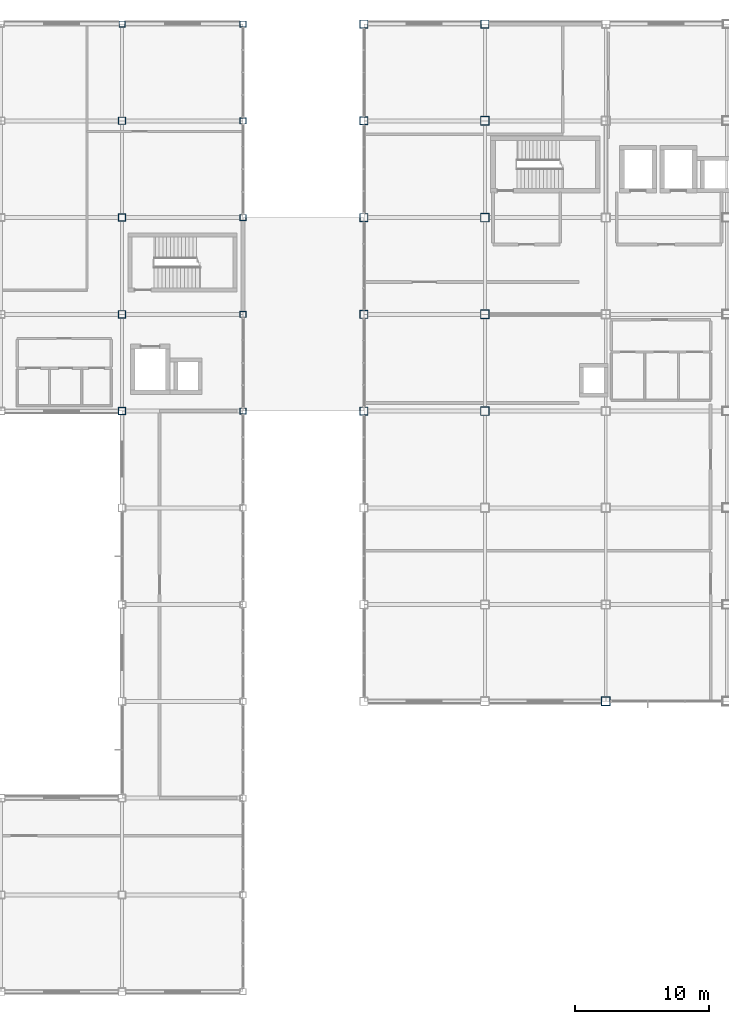
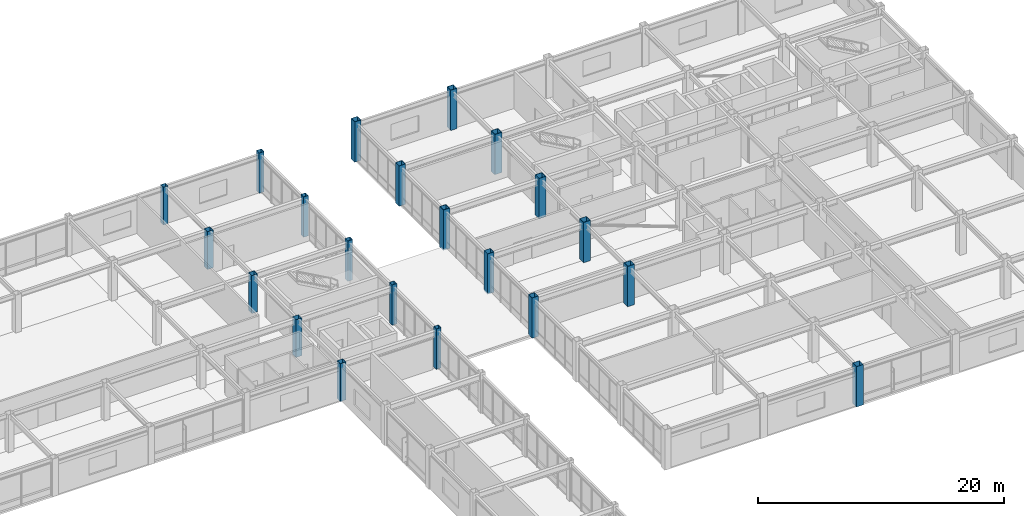
# One storey, part 9 of 113: 21 columns.
"""IFC4 building model written with IfcOpenShell, lengths in metres."""

from ifc_helpers import new_model, si_unit, direction, frame, origin, origin_2d, place, context, subcontext, project, spatial, hollow_rectangle, extrude, material, material_profile, profile_set, type_object, element, save


model = new_model("IFC4")

# Units and contexts
model_context = context("Model", 3, precision=1e-05, world=origin(), true_north=direction((0.0, 1.0)))
body_context = subcontext(model_context, "Body", "Model", "MODEL_VIEW")
ifc_project = project(units=[si_unit("LENGTHUNIT", "METRE"), si_unit("AREAUNIT", "SQUARE_METRE"), si_unit("VOLUMEUNIT", "CUBIC_METRE"), si_unit("PLANEANGLEUNIT", "RADIAN"), si_unit("MASSUNIT", "GRAM", prefix="KILO")], contexts=[model_context])

# Site, building, storey
site_placement = place(None, origin())
site = spatial("IfcSite", under=ifc_project, at=site_placement, CompositionType="ELEMENT")
building_placement = place(site_placement, origin())
building = spatial("IfcBuilding", under=site, at=building_placement, Name="Kazanami Central Library", CompositionType="ELEMENT")
storey_placement = place(building_placement, frame((0.0, 0.0, 8.800048828125)))
storey = spatial("IfcBuildingStorey", under=building, at=storey_placement, Name="L03", CompositionType="ELEMENT", Elevation=8.800048828125)

# Columns
ifc_material = material(Name="Steel BCP325 (325 MPa)", Category="steel")
ifc_material_profile_1 = material_profile(ifc_material, hollow_rectangle(XDim=0.449951171875, YDim=0.449951171875, WallThickness=0.01904296875, at=origin_2d()), Name="BCP-450x450x19")
ifc_profile_set_1 = profile_set([ifc_material_profile_1], Name="Steel BCP325 (325 MPa)")
column_type_1 = type_object("IfcColumnType", Name="COL-C-P2E", PredefinedType="COLUMN", material=ifc_profile_set_1)
column_placement = place(storey_placement, frame((99.0, 93.60009765625, 0.0), z_axis=(0.0, 0.0, 1.0), x_axis=(1.0, 0.0, 0.0)))
element("IfcColumn", 1, at=column_placement, inside=storey, type_object=column_type_1, Name="Column C-P2E L03 12/O", PredefinedType="COLUMN", context=body_context, shape_type="SweptSolid", body=[
    extrude(hollow_rectangle(XDim=0.449951171875, YDim=0.449951171875, WallThickness=0.01904296875, at=origin_2d()), origin(), (0.0, 0.0, 1.0), 3.744873046875),
])
for number, where, z_axis, x_axis, name in (
    (2, (108.0, 64.800048828125, 0.0), (0.0, 0.0, 1.0), (1.0, 0.0, 0.0), "Column C-P2E L03 13/K"),
    (3, (108.0, 72.0, 0.0), (0.0, 0.0, 1.0), (1.0, 0.0, 0.0), "Column C-P2E L03 13/L"),
    (4, (108.0, 79.199951171875, 0.0), (0.0, 0.0, 1.0), (1.0, 0.0, 0.0), "Column C-P2E L03 13/M"),
    (5, (108.0, 86.39990234375, 0.0), (0.0, 0.0, 1.0), (1.0, 0.0, 0.0), "Column C-P2E L03 13/N"),
    (6, (108.0, 93.60009765625, 0.0), (0.0, 0.0, 1.0), (1.0, 0.0, 0.0), "Column C-P2E L03 13/O"),
):
    element("IfcColumn", number, at=place(storey_placement, frame(where, z_axis=z_axis, x_axis=x_axis)), inside=storey, type_object=column_type_1, Name=name, PredefinedType="COLUMN", context=body_context, shape_type="SweptSolid", body=[
        extrude(hollow_rectangle(XDim=0.449951171875, YDim=0.449951171875, WallThickness=0.01904296875, at=origin_2d()), origin(), (0.0, 0.0, 1.0), 4.0),
    ])
ifc_material_profile_2 = material_profile(ifc_material, hollow_rectangle(XDim=0.550048828125, YDim=0.550048828125, WallThickness=0.02197265625, at=origin_2d()), Name="BCP-550x550x22")
ifc_profile_set_2 = profile_set([ifc_material_profile_2], Name="Steel BCP325 (325 MPa)")
column_type_2 = type_object("IfcColumnType", Name="COL-C-P2I", PredefinedType="COLUMN", material=ifc_profile_set_2)
for number, where, z_axis, x_axis, name in (
    (7, (99.0, 64.800048828125, 0.0), (0.0, 0.0, 1.0), (1.0, 0.0, 0.0), "Column C-P2I L03 12/K"),
    (8, (99.0, 72.0, 0.0), (0.0, 0.0, 1.0), (1.0, 0.0, 0.0), "Column C-P2I L03 12/L"),
    (9, (99.0, 79.199951171875, 0.0), (0.0, 0.0, 1.0), (1.0, 0.0, 0.0), "Column C-P2I L03 12/M"),
    (10, (99.0, 86.39990234375, 0.0), (0.0, 0.0, 1.0), (1.0, 0.0, 0.0), "Column C-P2I L03 12/N"),
):
    element("IfcColumn", number, at=place(storey_placement, frame(where, z_axis=z_axis, x_axis=x_axis)), inside=storey, type_object=column_type_2, Name=name, PredefinedType="COLUMN", context=body_context, shape_type="SweptSolid", body=[
        extrude(hollow_rectangle(XDim=0.550048828125, YDim=0.550048828125, WallThickness=0.02197265625, at=origin_2d()), origin(), (0.0, 0.0, 1.0), 3.744873046875),
    ])
ifc_material_profile_3 = material_profile(ifc_material, hollow_rectangle(XDim=0.64990234375, YDim=0.64990234375, WallThickness=0.02490234375, at=origin_2d()), Name="BCP-650x650x25")
ifc_profile_set_3 = profile_set([ifc_material_profile_3], Name="Steel BCP325 (325 MPa)")
column_type_3 = type_object("IfcColumnType", Name="COL-C-T2I", PredefinedType="COLUMN", material=ifc_profile_set_3)
for number, where, z_axis, x_axis, name in (
    (11, (126.0, 64.800048828125, 0.0), (0.0, 0.0, 1.0), (1.0, 0.0, 0.0), "Column C-T2I L03 15/K"),
    (12, (126.0, 72.0, 0.0), (0.0, 0.0, 1.0), (1.0, 0.0, 0.0), "Column C-T2I L03 15/L"),
    (13, (126.0, 79.199951171875, 0.0), (0.0, 0.0, 1.0), (1.0, 0.0, 0.0), "Column C-T2I L03 15/M"),
    (14, (126.0, 86.39990234375, 0.0), (0.0, 0.0, 1.0), (1.0, 0.0, 0.0), "Column C-T2I L03 15/N"),
    (15, (135.0, 43.199951171875, 0.0), (0.0, 0.0, 1.0), (1.0, 0.0, 0.0), "Column C-T2I L03 16/G"),
):
    element("IfcColumn", number, at=place(storey_placement, frame(where, z_axis=z_axis, x_axis=x_axis)), inside=storey, type_object=column_type_3, Name=name, PredefinedType="COLUMN", context=body_context, shape_type="SweptSolid", body=[
        extrude(hollow_rectangle(XDim=0.64990234375, YDim=0.64990234375, WallThickness=0.02490234375, at=origin_2d()), origin(), (0.0, 0.0, 1.0), 4.0),
    ])
ifc_material_profile_4 = material_profile(ifc_material, hollow_rectangle(XDim=0.60009765625, YDim=0.60009765625, WallThickness=0.02490234375, at=origin_2d()), Name="BCP-600x600x25")
ifc_profile_set_4 = profile_set([ifc_material_profile_4], Name="Steel BCP325 (325 MPa)")
column_type_4 = type_object("IfcColumnType", Name="COL-C-T2P", PredefinedType="COLUMN", material=ifc_profile_set_4)
for number, where, z_axis, x_axis, name in (
    (16, (117.0, 64.800048828125, 0.0), (0.0, 0.0, 1.0), (1.0, 0.0, 0.0), "Column C-T2P L03 14/K"),
    (17, (117.0, 72.0, 0.0), (0.0, 0.0, 1.0), (1.0, 0.0, 0.0), "Column C-T2P L03 14/L"),
    (18, (117.0, 79.199951171875, 0.0), (0.0, 0.0, 1.0), (1.0, 0.0, 0.0), "Column C-T2P L03 14/M"),
    (19, (117.0, 86.39990234375, 0.0), (0.0, 0.0, 1.0), (1.0, 0.0, 0.0), "Column C-T2P L03 14/N"),
    (20, (117.0, 93.60009765625, 0.0), (0.0, 0.0, 1.0), (1.0, 0.0, 0.0), "Column C-T2P L03 14/O"),
    (21, (126.0, 93.60009765625, 0.0), (0.0, 0.0, 1.0), (1.0, 0.0, 0.0), "Column C-T2P L03 15/O"),
):
    element("IfcColumn", number, at=place(storey_placement, frame(where, z_axis=z_axis, x_axis=x_axis)), inside=storey, type_object=column_type_4, Name=name, PredefinedType="COLUMN", context=body_context, shape_type="SweptSolid", body=[
        extrude(hollow_rectangle(XDim=0.60009765625, YDim=0.60009765625, WallThickness=0.02490234375, at=origin_2d()), origin(), (0.0, 0.0, 1.0), 4.0),
    ])

save(model, "model.ifc")
